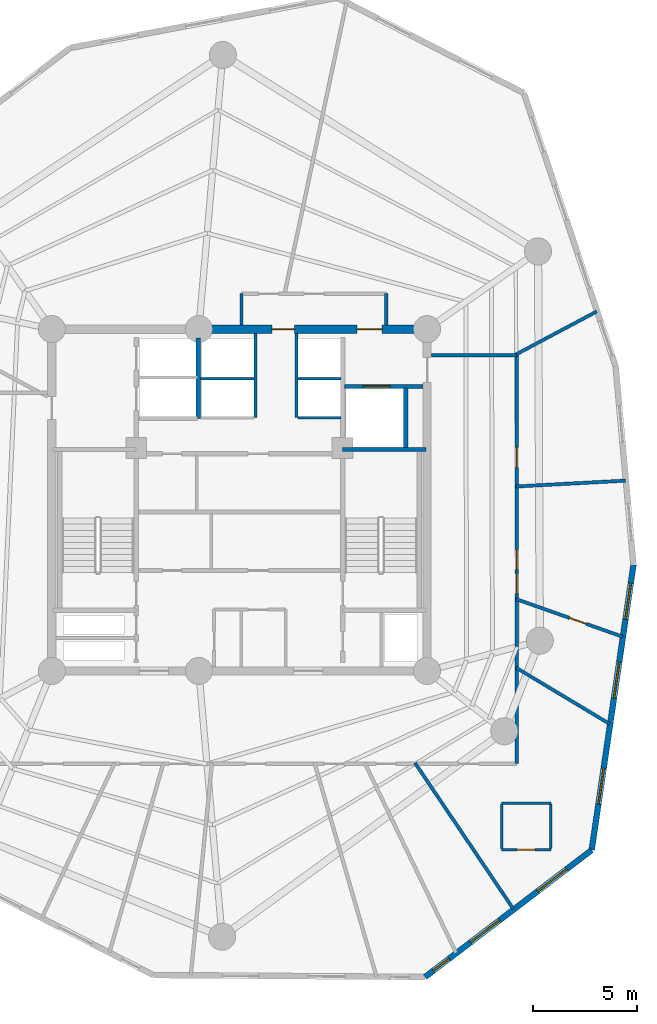
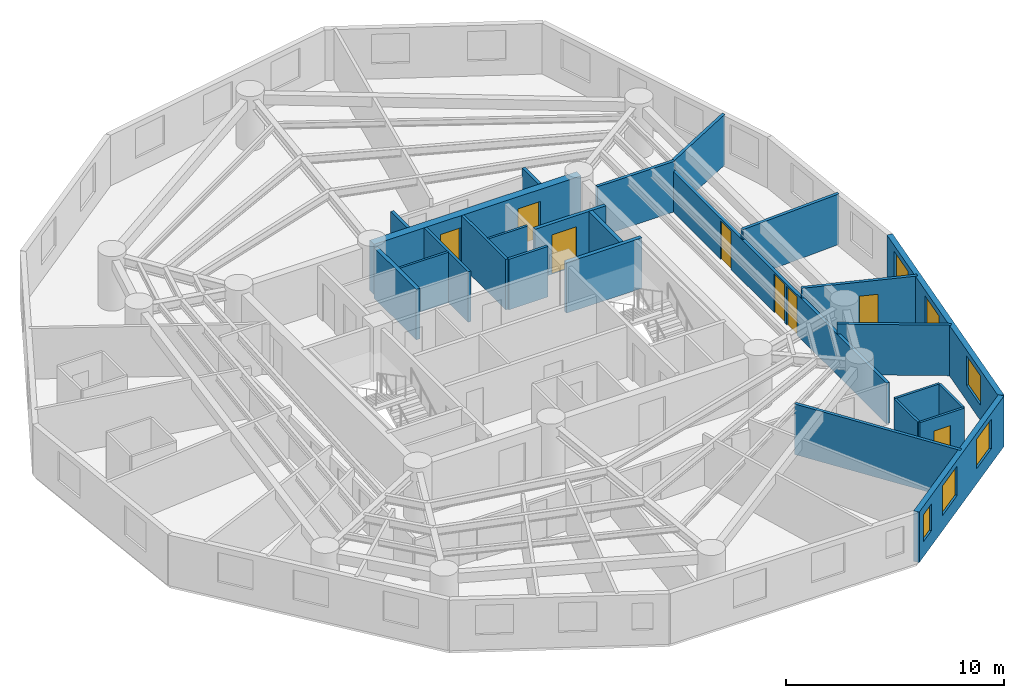
# One storey, part 5 of 7: 25 walls, 8 doors, 6 windows, 14 openings.
"""IFC4 building model written with IfcOpenShell, lengths in metres."""

from ifc_helpers import new_model, si_unit, direction, frame, frame_2d, origin, origin_with_axes, place, context, subcontext, project, spatial, rectangle, extrude, source, transform, mapped, material, layer, layer_set, type_object, element, fill, save


model = new_model("IFC4")

# Units and contexts
model_context = context("Model", 3, precision=1e-05, world=origin(), true_north=direction((0.0, 1.0)))
body_context = subcontext(model_context, "Body", "Model", "MODEL_VIEW")
ifc_project = project(units=[si_unit("LENGTHUNIT", "METRE"), si_unit("AREAUNIT", "SQUARE_METRE"), si_unit("VOLUMEUNIT", "CUBIC_METRE"), si_unit("PLANEANGLEUNIT", "RADIAN"), si_unit("MASSUNIT", "GRAM", prefix="KILO")], contexts=[model_context])

# Site, building, storey
site_placement = place(None, origin())
site = spatial("IfcSite", under=ifc_project, at=site_placement, CompositionType="ELEMENT")
building_placement = place(site_placement, origin())
building = spatial("IfcBuilding", under=site, at=building_placement, Name="Karkom Vertical University and Central Library", CompositionType="ELEMENT")
storey_placement = place(building_placement, frame((0.0, 0.0, 199.25)))
storey = spatial("IfcBuildingStorey", under=building, at=storey_placement, Name="L58", CompositionType="ELEMENT", Elevation=199.25)

# Wall, openings, windows
ifc_material_1 = material(Name="Brick-faced precast concrete C45/55", Category="masonry")
ifc_layer_1 = layer(ifc_material_1, 0.280029296875)
ifc_layer_set_1 = layer_set([ifc_layer_1], Name="Brick-faced precast concrete C45/55")
wall_type_1 = type_object("IfcWallType", Name="ENV-WL-BRK-280", PredefinedType="SOLIDWALL", material=ifc_layer_set_1)
wall_1_placement = place(storey_placement, frame((37.4033203125, 3.613037109375, 0.0), z_axis=(0.0, 0.0, 1.0), x_axis=(0.795510317951, 0.605940041616, 0.0)))
wall_1 = element("IfcWall", 1, at=wall_1_placement, inside=storey, type_object=wall_type_1, Name="Level 58 Brick-Faced Precast Facade Wall 05", PredefinedType="SOLIDWALL", context=body_context, shape_type="SweptSolid", body=[
    extrude(rectangle(XDim=10.052978515625, YDim=0.280029296875, at=frame_2d((5.0263671875, 0.0))), origin(), (0.0, 0.0, 1.0), 2.824951171875),
])
opening_1_placement = place(wall_1_placement, frame((0.5048828125, 0.0, 0.85009765625)))
opening_1 = element("IfcOpeningElement", 2, at=opening_1_placement, cuts=wall_1, Name="Opening WN-12", PredefinedType="OPENING", context=body_context, shape_type="SweptSolid", body=[
    extrude(rectangle(XDim=0.949951171875, YDim=1.5, at=frame_2d((0.47509765625, 0.75))), frame((0.0, 0.14990234375, 0.0), z_axis=(0.0, -1.0, 0.0), x_axis=(1.0, 0.0, 0.0)), (0.0, 0.0, 1.0), 0.300048828125),
])
opening_2_placement = place(wall_1_placement, frame((2.7509765625, 0.0, 0.85009765625)))
opening_2 = element("IfcOpeningElement", 3, at=opening_2_placement, cuts=wall_1, Name="Opening WN-08", PredefinedType="OPENING", context=body_context, shape_type="SweptSolid", body=[
    extrude(rectangle(XDim=1.75, YDim=1.64990234375, at=frame_2d((0.875, 0.824951171875))), frame((0.0, 0.14990234375, 0.0), z_axis=(0.0, -1.0, 0.0), x_axis=(1.0, 0.0, 0.0)), (0.0, 0.0, 1.0), 0.300048828125),
])
opening_3_placement = place(wall_1_placement, frame((6.797607421875, 0.0, 0.85009765625)))
opening_3 = element("IfcOpeningElement", 4, at=opening_3_placement, cuts=wall_1, Name="Opening WN-08", PredefinedType="OPENING", context=body_context, shape_type="SweptSolid", body=[
    extrude(rectangle(XDim=1.75, YDim=1.64990234375, at=frame_2d((0.875, 0.824951171875))), frame((0.0, 0.14990234375, 0.0), z_axis=(0.0, -1.0, 0.0), x_axis=(1.0, 0.0, 0.0)), (0.0, 0.0, 1.0), 0.300048828125),
])
ifc_material_2 = material(Name="Aluminium thermal-break frame with solar-control IGU", Category="aluminium")
window_type_1 = type_object("IfcWindowType", Name="ENV-WIN-WN-12", PartitioningType="SINGLE_PANEL", PredefinedType="WINDOW", material=ifc_material_2)
shared_shape_1 = source(origin_with_axes(), body_context, "Body", "SweptSolid", [
    extrude(rectangle(XDim=0.949951171875, YDim=1.5, at=frame_2d((0.47509765625, 0.75))), frame((0.0, 0.030029296875, 0.0), z_axis=(0.0, -1.0, 0.0), x_axis=(1.0, 0.0, 0.0)), (0.0, 0.0, 1.0), 0.06005859375),
])
window_1_placement = place(opening_1_placement, origin())
window_1 = element("IfcWindow", 5, at=window_1_placement, inside=storey, type_object=window_type_1, Name="Level 58 Punched Window 5.1", OverallHeight=1.5, OverallWidth=0.949951171875, PartitioningType="SINGLE_PANEL", PredefinedType="WINDOW", context=body_context, shape_type="MappedRepresentation", body=[
    mapped(shared_shape_1, transform((0.0, 0.0, 0.0), scale=1.0)),
])
fill(opening_1, window_1)
window_type_2 = type_object("IfcWindowType", Name="ENV-WIN-WN-08", PartitioningType="SINGLE_PANEL", PredefinedType="WINDOW", material=ifc_material_2)
shared_shape_2 = source(origin_with_axes(), body_context, "Body", "SweptSolid", [
    extrude(rectangle(XDim=1.75, YDim=1.64990234375, at=frame_2d((0.875, 0.824951171875))), frame((0.0, 0.030029296875, 0.0), z_axis=(0.0, -1.0, 0.0), x_axis=(1.0, 0.0, 0.0)), (0.0, 0.0, 1.0), 0.06005859375),
])
window_2_placement = place(opening_2_placement, origin())
window_2 = element("IfcWindow", 6, at=window_2_placement, inside=storey, type_object=window_type_2, Name="Level 58 Punched Window 5.2", OverallHeight=1.64990234375, OverallWidth=1.75, PartitioningType="SINGLE_PANEL", PredefinedType="WINDOW", context=body_context, shape_type="MappedRepresentation", body=[
    mapped(shared_shape_2, transform((0.0, 0.0, 0.0), scale=1.0)),
])
fill(opening_2, window_2)
window_3_placement = place(opening_3_placement, origin())
window_3 = element("IfcWindow", 7, at=window_3_placement, inside=storey, type_object=window_type_2, Name="Level 58 Punched Window 5.3", OverallHeight=1.64990234375, OverallWidth=1.75, PartitioningType="SINGLE_PANEL", PredefinedType="WINDOW", context=body_context, shape_type="MappedRepresentation", body=[
    mapped(shared_shape_2, transform((0.0, 0.0, 0.0), scale=1.0)),
])
fill(opening_3, window_3)

wall_2_placement = place(storey_placement, frame((45.400634765625, 9.70458984375, 0.0), z_axis=(0.0, 0.0, 1.0), x_axis=(0.145019531455, 0.989428792535, 0.0)))
wall_2 = element("IfcWall", 8, at=wall_2_placement, inside=storey, type_object=wall_type_1, Name="Level 58 Brick-Faced Precast Facade Wall 06", PredefinedType="SOLIDWALL", context=body_context, shape_type="SweptSolid", body=[
    extrude(rectangle(XDim=13.836669921875, YDim=0.280029296875, at=frame_2d((6.91845703125, 0.0))), origin(), (0.0, 0.0, 1.0), 2.824951171875),
])
opening_4_placement = place(wall_2_placement, frame((2.219970703125, 0.0, 0.85009765625)))
opening_4 = element("IfcOpeningElement", 9, at=opening_4_placement, cuts=wall_2, Name="Opening WN-08", PredefinedType="OPENING", context=body_context, shape_type="SweptSolid", body=[
    extrude(rectangle(XDim=1.75, YDim=1.64990234375, at=frame_2d((0.875, 0.824951171875))), frame((0.0, 0.14990234375, 0.0), z_axis=(0.0, -1.0, 0.0), x_axis=(1.0, 0.0, 0.0)), (0.0, 0.0, 1.0), 0.300048828125),
])
opening_5_placement = place(wall_2_placement, frame((7.366455078125, 0.0, 0.85009765625)))
opening_5 = element("IfcOpeningElement", 10, at=opening_5_placement, cuts=wall_2, Name="Opening WN-08", PredefinedType="OPENING", context=body_context, shape_type="SweptSolid", body=[
    extrude(rectangle(XDim=1.75, YDim=1.64990234375, at=frame_2d((0.875, 0.824951171875))), frame((0.0, 0.14990234375, 0.0), z_axis=(0.0, -1.0, 0.0), x_axis=(1.0, 0.0, 0.0)), (0.0, 0.0, 1.0), 0.300048828125),
])
opening_6_placement = place(wall_2_placement, frame((11.18994140625, 0.0, 0.85009765625)))
opening_6 = element("IfcOpeningElement", 11, at=opening_6_placement, cuts=wall_2, Name="Opening WN-08", PredefinedType="OPENING", context=body_context, shape_type="SweptSolid", body=[
    extrude(rectangle(XDim=1.75, YDim=1.64990234375, at=frame_2d((0.875, 0.824951171875))), frame((0.0, 0.14990234375, 0.0), z_axis=(0.0, -1.0, 0.0), x_axis=(1.0, 0.0, 0.0)), (0.0, 0.0, 1.0), 0.300048828125),
])
window_4_placement = place(opening_4_placement, origin())
window_4 = element("IfcWindow", 12, at=window_4_placement, inside=storey, type_object=window_type_2, Name="Level 58 Punched Window 6.1", OverallHeight=1.64990234375, OverallWidth=1.75, PartitioningType="SINGLE_PANEL", PredefinedType="WINDOW", context=body_context, shape_type="MappedRepresentation", body=[
    mapped(shared_shape_2, transform((0.0, 0.0, 0.0), scale=1.0)),
])
fill(opening_4, window_4)
window_5_placement = place(opening_5_placement, origin())
window_5 = element("IfcWindow", 13, at=window_5_placement, inside=storey, type_object=window_type_2, Name="Level 58 Punched Window 6.2", OverallHeight=1.64990234375, OverallWidth=1.75, PartitioningType="SINGLE_PANEL", PredefinedType="WINDOW", context=body_context, shape_type="MappedRepresentation", body=[
    mapped(shared_shape_2, transform((0.0, 0.0, 0.0), scale=1.0)),
])
fill(opening_5, window_5)
window_6_placement = place(opening_6_placement, origin())
window_6 = element("IfcWindow", 14, at=window_6_placement, inside=storey, type_object=window_type_2, Name="Level 58 Punched Window 6.3", OverallHeight=1.64990234375, OverallWidth=1.75, PartitioningType="SINGLE_PANEL", PredefinedType="WINDOW", context=body_context, shape_type="MappedRepresentation", body=[
    mapped(shared_shape_2, transform((0.0, 0.0, 0.0), scale=1.0)),
])
fill(opening_6, window_6)

# Wall, openings, doors
ifc_material_3 = material(Name="Insulated metal-stud drywall 160mm", Category="gypsum")
ifc_layer_2 = layer(ifc_material_3, 0.159912109375)
ifc_layer_set_2 = layer_set([ifc_layer_2], Name="Insulated metal-stud drywall 160mm")
wall_type_2 = type_object("IfcWallType", Name="INT-WL-COR-160", PredefinedType="PARTITIONING", material=ifc_layer_set_2)
wall_3_placement = place(storey_placement, frame((41.800048828125, 33.449951171875, 0.0), z_axis=(0.0, 0.0, 1.0), x_axis=(0.0, -1.0, 0.0)))
wall_3 = element("IfcWall", 15, at=wall_3_placement, inside=storey, type_object=wall_type_2, Name="Level 58 Interior Partition Wall L58-CORW-CW-005", PredefinedType="PARTITIONING", context=body_context, shape_type="SweptSolid", body=[
    extrude(rectangle(XDim=19.599853515625, YDim=0.159912109375, at=frame_2d((9.7998046875, 0.0))), origin(), (0.0, 0.0, 1.0), 2.27490234375),
])
opening_7_placement = place(wall_3_placement, frame((10.47509765625, 0.0, 0.0)))
opening_7 = element("IfcOpeningElement", 16, at=opening_7_placement, cuts=wall_3, Name="Opening FD-RM2", PredefinedType="OPENING", context=body_context, shape_type="SweptSolid", body=[
    extrude(rectangle(XDim=0.9599609375, YDim=2.14990234375, at=frame_2d((0.47998046875, 1.074951171875))), frame((0.0, 0.08984375, 0.0), z_axis=(0.0, -1.0, 0.0), x_axis=(1.0, 0.0, 0.0)), (0.0, 0.0, 1.0), 0.179931640625),
])
opening_8_placement = place(wall_3_placement, frame((9.324951171875, 0.0, 0.0)))
opening_8 = element("IfcOpeningElement", 17, at=opening_8_placement, cuts=wall_3, Name="Opening FD-RM2", PredefinedType="OPENING", context=body_context, shape_type="SweptSolid", body=[
    extrude(rectangle(XDim=0.9599609375, YDim=2.14990234375, at=frame_2d((0.47998046875, 1.074951171875))), frame((0.0, 0.08984375, 0.0), z_axis=(0.0, -1.0, 0.0), x_axis=(1.0, 0.0, 0.0)), (0.0, 0.0, 1.0), 0.179931640625),
])
opening_9_placement = place(wall_3_placement, frame((4.425048828125, 0.0, 0.0)))
opening_9 = element("IfcOpeningElement", 18, at=opening_9_placement, cuts=wall_3, Name="Opening FD-RM2", PredefinedType="OPENING", context=body_context, shape_type="SweptSolid", body=[
    extrude(rectangle(XDim=0.9599609375, YDim=2.14990234375, at=frame_2d((0.47998046875, 1.074951171875))), frame((0.0, 0.08984375, 0.0), z_axis=(0.0, -1.0, 0.0), x_axis=(1.0, 0.0, 0.0)), (0.0, 0.0, 1.0), 0.179931640625),
])
ifc_material_4 = material(Name="Fire-rated oak veneer door", Category="wood")
door_type_1 = type_object("IfcDoorType", Name="INT-DR-FRM2", OperationType="NOTDEFINED", PredefinedType="DOOR", material=ifc_material_4)
shared_shape_3 = source(origin_with_axes(), body_context, "Body", "SweptSolid", [
    extrude(rectangle(XDim=0.9599609375, YDim=2.14990234375, at=frame_2d((0.47998046875, 1.074951171875))), frame((0.0, 0.02490234375, 0.0), z_axis=(0.0, -1.0, 0.0), x_axis=(1.0, 0.0, 0.0)), (0.0, 0.0, 1.0), 0.050048828125),
])
door_1_placement = place(opening_7_placement, origin())
door_1 = element("IfcDoor", 19, at=door_1_placement, inside=storey, type_object=door_type_1, Name="Level 58 Room Entry Door 101", OperationType="SINGLE_SWING_LEFT", OverallHeight=2.14990234375, OverallWidth=0.9599609375, PredefinedType="DOOR", context=body_context, shape_type="MappedRepresentation", body=[
    mapped(shared_shape_3, transform((0.0, 0.0, 0.0), scale=1.0)),
])
fill(opening_7, door_1)
door_2_placement = place(opening_8_placement, origin())
door_2 = element("IfcDoor", 20, at=door_2_placement, inside=storey, type_object=door_type_1, Name="Level 58 Room Entry Door 111", OperationType="SINGLE_SWING_RIGHT", OverallHeight=2.14990234375, OverallWidth=0.9599609375, PredefinedType="DOOR", context=body_context, shape_type="MappedRepresentation", body=[
    mapped(shared_shape_3, transform((0.0, 0.0, 0.0), scale=1.0)),
])
fill(opening_8, door_2)
door_3_placement = place(opening_9_placement, origin())
door_3 = element("IfcDoor", 21, at=door_3_placement, inside=storey, type_object=door_type_1, Name="Level 58 Room Entry Door 121", OperationType="SINGLE_SWING_LEFT", OverallHeight=2.14990234375, OverallWidth=0.9599609375, PredefinedType="DOOR", context=body_context, shape_type="MappedRepresentation", body=[
    mapped(shared_shape_3, transform((0.0, 0.0, 0.0), scale=1.0)),
])
fill(opening_9, door_3)

# Wall
wall_4_placement = place(storey_placement, frame((36.921630859375, 13.88720703125, 0.0), z_axis=(0.0, 0.0, 1.0), x_axis=(0.558599163164, -0.829437746255, 0.0)))
element("IfcWall", 22, at=wall_4_placement, inside=storey, type_object=wall_type_2, Name="Level 58 Interior Partition Wall L58-PW-010", PredefinedType="PARTITIONING", context=body_context, shape_type="SweptSolid", body=[
    extrude(rectangle(XDim=8.454345703125, YDim=0.159912109375, at=frame_2d((4.22705078125, 0.0))), origin(), (0.0, 0.0, 1.0), 2.824951171875),
])

# Wall, opening, door
wall_5_placement = place(storey_placement, frame((41.771728515625, 21.748046875, 0.0), z_axis=(0.0, 0.0, 1.0), x_axis=(0.942903697414, -0.333065485156, 0.0)))
wall_5 = element("IfcWall", 23, at=wall_5_placement, inside=storey, type_object=wall_type_2, Name="Level 58 Interior Partition Wall L58-PW-012", PredefinedType="PARTITIONING", context=body_context, shape_type="SweptSolid", body=[
    extrude(rectangle(XDim=5.41259765625, YDim=0.159912109375, at=frame_2d((2.706298828125, 0.0))), origin(), (0.0, 0.0, 1.0), 2.824951171875),
])
opening_10_placement = place(wall_5_placement, frame((2.71630859375, 0.0, 0.0)))
opening_10 = element("IfcOpeningElement", 24, at=opening_10_placement, cuts=wall_5, Name="Opening FD-BTH2", PredefinedType="OPENING", context=body_context, shape_type="SweptSolid", body=[
    extrude(rectangle(XDim=0.860107421875, YDim=2.0400390625, at=frame_2d((0.43017578125, 1.02001953125))), frame((0.0, 0.08984375, 0.0), z_axis=(0.0, -1.0, 0.0), x_axis=(1.0, 0.0, 0.0)), (0.0, 0.0, 1.0), 0.179931640625),
])
ifc_material_5 = material(Name="Fire-rated moisture-resistant oak door", Category="wood")
door_type_2 = type_object("IfcDoorType", Name="INT-DR-FBTH2", OperationType="NOTDEFINED", PredefinedType="DOOR", material=ifc_material_5)
shared_shape_4 = source(origin_with_axes(), body_context, "Body", "SweptSolid", [
    extrude(rectangle(XDim=0.860107421875, YDim=2.0400390625, at=frame_2d((0.43017578125, 1.02001953125))), frame((0.0, 0.02490234375, 0.0), z_axis=(0.0, -1.0, 0.0), x_axis=(1.0, 0.0, 0.0)), (0.0, 0.0, 1.0), 0.050048828125),
])
door_4_placement = place(opening_10_placement, origin())
door_4 = element("IfcDoor", 25, at=door_4_placement, inside=storey, type_object=door_type_2, Name="Level 58 Scholar Consultation Office Entry Door", OperationType="SINGLE_SWING_RIGHT", OverallHeight=2.0400390625, OverallWidth=0.860107421875, PredefinedType="DOOR", context=body_context, shape_type="MappedRepresentation", body=[
    mapped(shared_shape_4, transform((0.0, 0.0, 0.0), scale=1.0)),
])
fill(opening_10, door_4)

# Walls
wall_6_placement = place(storey_placement, frame((41.77001953125, 27.14990234375, 0.0), z_axis=(0.0, 0.0, 1.0), x_axis=(0.998570877024, 0.053443461334, 0.0)))
element("IfcWall", 26, at=wall_6_placement, inside=storey, type_object=wall_type_2, Name="Level 58 Interior Partition Wall L58-PW-013", PredefinedType="PARTITIONING", context=body_context, shape_type="SweptSolid", body=[
    extrude(rectangle(XDim=5.258056640625, YDim=0.159912109375, at=frame_2d((2.62890625, 0.0))), origin(), (0.0, 0.0, 1.0), 2.824951171875),
])
wall_7_placement = place(storey_placement, frame((41.7744140625, 18.45458984375, 0.0), z_axis=(0.0, 0.0, 1.0), x_axis=(0.857183893401, -0.515010459014, 0.0)))
element("IfcWall", 27, at=wall_7_placement, inside=storey, type_object=wall_type_2, Name="Level 58 Interior Partition Wall L58-PW-011", PredefinedType="PARTITIONING", context=body_context, shape_type="SweptSolid", body=[
    extrude(rectangle(XDim=5.230712890625, YDim=0.159912109375, at=frame_2d((2.615234375, 0.0))), origin(), (0.0, 0.0, 1.0), 2.824951171875),
])
wall_8_placement = place(storey_placement, frame((41.67236328125, 33.435791015625, 0.0), z_axis=(0.0, 0.0, 1.0), x_axis=(0.882929374505, 0.469505824923, 0.0)))
element("IfcWall", 28, at=wall_8_placement, inside=storey, type_object=wall_type_2, Name="Level 58 Interior Partition Wall L58-PW-014", PredefinedType="PARTITIONING", context=body_context, shape_type="SweptSolid", body=[
    extrude(rectangle(XDim=4.496826171875, YDim=0.159912109375, at=frame_2d((2.24853515625, 0.0))), origin(), (0.0, 0.0, 1.0), 2.824951171875),
])
wall_9_placement = place(storey_placement, frame((37.70703125, 33.449951171875, 0.0), z_axis=(0.0, 0.0, 1.0), x_axis=(1.0, 0.0, 0.0)))
element("IfcWall", 29, at=wall_9_placement, inside=storey, type_object=wall_type_2, Name="Level 58 Interior Partition Wall L58-CORW-CW-004", PredefinedType="PARTITIONING", context=body_context, shape_type="SweptSolid", body=[
    extrude(rectangle(XDim=4.093017578125, YDim=0.159912109375, at=frame_2d((2.04638671875, 0.0))), origin(), (0.0, 0.0, 1.0), 2.824951171875),
])
for number, where, z_axis, x_axis, name in (
    (30, (28.60009765625, 34.906982421875, 0.0), (0.0, 0.0, 1.0), (0.0, 1.0, 0.0), "Level 58 Interior Partition Wall L58-CORW-CW-006"),
    (31, (35.550048828125, 36.39990234375, 0.0), (0.0, 0.0, 1.0), (0.0, -1.0, 0.0), "Level 58 Interior Partition Wall L58-CORW-CW-008"),
):
    element("IfcWall", number, at=place(storey_placement, frame(where, z_axis=z_axis, x_axis=x_axis)), inside=storey, type_object=wall_type_2, Name=name, PredefinedType="PARTITIONING", context=body_context, shape_type="SweptSolid", body=[
        extrude(rectangle(XDim=1.492919921875, YDim=0.159912109375, at=frame_2d((0.74658203125, 0.0))), origin(), (0.0, 0.0, 1.0), 2.824951171875),
    ])

# Wall, opening, door
ifc_material_6 = material(Name="Moisture-resistant drywall 120mm", Category="gypsum")
ifc_layer_3 = layer(ifc_material_6, 0.1201171875)
ifc_layer_set_3 = layer_set([ifc_layer_3], Name="Moisture-resistant drywall 120mm")
wall_type_3 = type_object("IfcWallType", Name="INT-WL-INT-120F", PredefinedType="PARTITIONING", material=ifc_layer_set_3)
wall_10_placement = place(storey_placement, frame((41.076904296875, 9.722900390625, 0.0), z_axis=(0.0, 0.0, 1.0), x_axis=(1.0, 0.0, 0.0)))
wall_10 = element("IfcWall", 32, at=wall_10_placement, inside=storey, type_object=wall_type_3, Name="Level 58 Interior Partition Wall L58-ENS-09-S", PredefinedType="PARTITIONING", context=body_context, shape_type="SweptSolid", body=[
    extrude(rectangle(XDim=2.360107421875, YDim=0.1201171875, at=frame_2d((1.18017578125, 0.0))), origin(), (0.0, 0.0, 1.0), 2.824951171875),
])
opening_11_placement = place(wall_10_placement, frame((0.75, 0.0, 0.0)))
opening_11 = element("IfcOpeningElement", 33, at=opening_11_placement, cuts=wall_10, Name="Opening D-BATH", PredefinedType="OPENING", context=body_context, shape_type="SweptSolid", body=[
    extrude(rectangle(XDim=0.860107421875, YDim=2.10009765625, at=frame_2d((0.43017578125, 1.050048828125))), frame((0.0, 0.070068359375, 0.0), z_axis=(0.0, -1.0, 0.0), x_axis=(1.0, 0.0, 0.0)), (0.0, 0.0, 1.0), 0.14013671875),
])
ifc_material_7 = material(Name="Moisture-resistant oak door", Category="wood")
door_type_3 = type_object("IfcDoorType", Name="INT-DR-BATH", OperationType="NOTDEFINED", PredefinedType="DOOR", material=ifc_material_7)
shared_shape_5 = source(origin_with_axes(), body_context, "Body", "SweptSolid", [
    extrude(rectangle(XDim=0.860107421875, YDim=2.10009765625, at=frame_2d((0.43017578125, 1.050048828125))), frame((0.0, 0.02490234375, 0.0), z_axis=(0.0, -1.0, 0.0), x_axis=(1.0, 0.0, 0.0)), (0.0, 0.0, 1.0), 0.050048828125),
])
door_5_placement = place(opening_11_placement, origin())
door_5 = element("IfcDoor", 34, at=door_5_placement, inside=storey, type_object=door_type_3, Name="Level 58 En-Suite Bathroom Door 09", OperationType="SINGLE_SWING_LEFT", OverallHeight=2.10009765625, OverallWidth=0.860107421875, PredefinedType="DOOR", context=body_context, shape_type="MappedRepresentation", body=[
    mapped(shared_shape_5, transform((0.0, 0.0, 0.0), scale=1.0)),
])
fill(opening_11, door_5)

# Walls
wall_11_placement = place(storey_placement, frame((43.43701171875, 11.962890625, 0.0), z_axis=(0.0, 0.0, 1.0), x_axis=(-1.0, 0.0, 0.0)))
element("IfcWall", 35, at=wall_11_placement, inside=storey, type_object=wall_type_3, Name="Level 58 Interior Partition Wall L58-ENS-09-N", PredefinedType="PARTITIONING", context=body_context, shape_type="SweptSolid", body=[
    extrude(rectangle(XDim=2.360107421875, YDim=0.1201171875, at=frame_2d((1.18017578125, 0.0))), origin(), (0.0, 0.0, 1.0), 2.824951171875),
])
for number, where, z_axis, x_axis, name in (
    (36, (43.43701171875, 9.77294921875, 0.0), (0.0, 0.0, 1.0), (0.0, 1.0, 0.0), "Level 58 Interior Partition Wall L58-ENS-09-E"),
    (37, (41.076904296875, 11.9130859375, 0.0), (0.0, 0.0, 1.0), (0.0, -1.0, 0.0), "Level 58 Interior Partition Wall L58-ENS-09-W"),
):
    element("IfcWall", number, at=place(storey_placement, frame(where, z_axis=z_axis, x_axis=x_axis)), inside=storey, type_object=wall_type_3, Name=name, PredefinedType="PARTITIONING", context=body_context, shape_type="SweptSolid", body=[
        extrude(rectangle(XDim=2.14013671875, YDim=0.1201171875, at=frame_2d((1.070068359375, 0.0))), origin(), (0.0, 0.0, 1.0), 2.824951171875),
    ])
ifc_layer_4 = layer(ifc_material_6, 0.1201171875)
ifc_layer_set_4 = layer_set([ifc_layer_4], Name="Moisture-resistant drywall 120mm")
wall_type_4 = type_object("IfcWallType", Name="INT-WL-INT-120H", PredefinedType="PARTITIONING", material=ifc_layer_set_4)
wall_12_placement = place(storey_placement, frame((26.6201171875, 32.320068359375, 0.0), z_axis=(0.0, 0.0, 1.0), x_axis=(1.0, 0.0, 0.0)))
element("IfcWall", 38, at=wall_12_placement, inside=storey, type_object=wall_type_4, Name="Level 58 Interior Partition Wall L58-CW-PH-MW", PredefinedType="PARTITIONING", context=body_context, shape_type="SweptSolid", body=[
    extrude(rectangle(XDim=2.579833984375, YDim=0.1201171875, at=frame_2d((1.2900390625, 0.0))), origin(), (0.0, 0.0, 1.0), 2.824951171875),
])
wall_13_placement = place(storey_placement, frame((31.300048828125, 32.320068359375, 0.0), z_axis=(0.0, 0.0, 1.0), x_axis=(1.0, 0.0, 0.0)))
element("IfcWall", 39, at=wall_13_placement, inside=storey, type_object=wall_type_4, Name="Level 58 Interior Partition Wall L58-CW-PH-ME", PredefinedType="PARTITIONING", context=body_context, shape_type="SweptSolid", body=[
    extrude(rectangle(XDim=2.074951171875, YDim=0.1201171875, at=frame_2d((1.03759765625, 0.0))), origin(), (0.0, 0.0, 1.0), 2.824951171875),
])
ifc_material_8 = material(Name="Metal-stud gypsum partition 140mm", Category="gypsum")
ifc_layer_5 = layer(ifc_material_8, 0.139892578125)
ifc_layer_set_5 = layer_set([ifc_layer_5], Name="Metal-stud gypsum partition 140mm")
wall_type_5 = type_object("IfcWallType", Name="INT-WL-SUB-140H", PredefinedType="PARTITIONING", material=ifc_layer_set_5)
for number, where, z_axis, x_axis, name in (
    (40, (29.260009765625, 30.449951171875, 0.0), (0.0, 0.0, 1.0), (0.0, 1.0, 0.0), "Level 58 Interior Partition Wall L58-CW-PH-W"),
    (41, (31.239990234375, 30.449951171875, 0.0), (0.0, 0.0, 1.0), (0.0, 1.0, 0.0), "Level 58 Interior Partition Wall L58-CW-PH-E"),
):
    element("IfcWall", number, at=place(storey_placement, frame(where, z_axis=z_axis, x_axis=x_axis)), inside=storey, type_object=wall_type_5, Name=name, PredefinedType="PARTITIONING", context=body_context, shape_type="SweptSolid", body=[
        extrude(rectangle(XDim=4.04296875, YDim=0.139892578125, at=frame_2d((2.021484375, 0.0))), origin(), (0.0, 0.0, 1.0), 2.824951171875),
    ])
wall_14_placement = place(storey_placement, frame((31.300048828125, 30.449951171875, 0.0), z_axis=(0.0, 0.0, 1.0), x_axis=(1.0, 0.0, 0.0)))
element("IfcWall", 42, at=wall_14_placement, inside=storey, type_object=wall_type_5, Name="Level 58 Interior Partition Wall L58-CW-PH-S2", PredefinedType="PARTITIONING", context=body_context, shape_type="SweptSolid", body=[
    extrude(rectangle(XDim=2.074951171875, YDim=0.139892578125, at=frame_2d((1.03759765625, 0.0))), origin(), (0.0, 0.0, 1.0), 2.824951171875),
])

# Wall, opening, door
ifc_material_9 = material(Name="Twin-stud acoustic drywall 180mm", Category="gypsum")
ifc_layer_6 = layer(ifc_material_9, 0.179931640625)
ifc_layer_set_6 = layer_set([ifc_layer_6], Name="Twin-stud acoustic drywall 180mm")
wall_type_6 = type_object("IfcWallType", Name="INT-WL-TEN-180F", PredefinedType="PARTITIONING", material=ifc_layer_set_6)
wall_15_placement = place(storey_placement, frame((33.534912109375, 31.949951171875, 0.0), z_axis=(0.0, 0.0, 1.0), x_axis=(1.0, 0.0, 0.0)))
wall_15 = element("IfcWall", 43, at=wall_15_placement, inside=storey, type_object=wall_type_6, Name="Level 58 Interior Partition Wall L58-CW-SVL-N", PredefinedType="PARTITIONING", context=body_context, shape_type="SweptSolid", body=[
    extrude(rectangle(XDim=3.7587890625, YDim=0.179931640625, at=frame_2d((1.87939453125, 0.0))), origin(), (0.0, 0.0, 1.0), 2.824951171875),
])
opening_12_placement = place(wall_15_placement, frame((0.89990234375, 0.0, 0.0)))
opening_12 = element("IfcOpeningElement", 44, at=opening_12_placement, cuts=wall_15, Name="Opening LD-SV1", PredefinedType="OPENING", context=body_context, shape_type="SweptSolid", body=[
    extrude(rectangle(XDim=1.300048828125, YDim=2.199951171875, at=frame_2d((0.64990234375, 1.10009765625))), frame((0.0, 0.10009765625, 0.0), z_axis=(0.0, -1.0, 0.0), x_axis=(1.0, 0.0, 0.0)), (0.0, 0.0, 1.0), 0.199951171875),
])
ifc_material_10 = material(Name="Brushed stainless-steel landing door", Category="steel")
door_type_4 = type_object("IfcDoorType", Name="INT-DR-LD-SV1", OperationType="SLIDING_TO_LEFT", PredefinedType="DOOR", material=ifc_material_10)
shared_shape_6 = source(origin_with_axes(), body_context, "Body", "SweptSolid", [
    extrude(rectangle(XDim=1.300048828125, YDim=2.199951171875, at=frame_2d((0.64990234375, 1.10009765625))), frame((0.0, 0.02490234375, 0.0), z_axis=(0.0, -1.0, 0.0), x_axis=(1.0, 0.0, 0.0)), (0.0, 0.0, 1.0), 0.050048828125),
])
door_6_placement = place(opening_12_placement, origin())
door_6 = element("IfcDoor", 45, at=door_6_placement, inside=storey, type_object=door_type_4, Name="Level 58 Service Lift Landing Door LD-SV1", OperationType="SLIDING_TO_LEFT", OverallHeight=2.199951171875, OverallWidth=1.300048828125, PredefinedType="DOOR", context=body_context, shape_type="MappedRepresentation", body=[
    mapped(shared_shape_6, transform((0.0, 0.0, 0.0), scale=1.0)),
])
fill(opening_12, door_6)

# Wall, openings, doors
ifc_material_11 = material(Name="Concrete C50/60", Category="concrete")
ifc_layer_7 = layer(ifc_material_11, 0.39990234375)
ifc_layer_set_7 = layer_set([ifc_layer_7], Name="Concrete C50/60")
wall_type_7 = type_object("IfcWallType", Name="STR-WL-CW-400", PredefinedType="SHEAR", material=ifc_layer_set_7)
wall_16_placement = place(storey_placement, frame((37.5, 34.699951171875, 0.0), z_axis=(0.0, 0.0, 1.0), x_axis=(-1.0, 0.0, 0.0)))
wall_16 = element("IfcWall", 46, at=wall_16_placement, inside=storey, type_object=wall_type_7, Name="Level 58 Central Core Shear Wall NW1", PredefinedType="SHEAR", context=body_context, shape_type="SweptSolid", body=[
    extrude(rectangle(XDim=10.949951171875, YDim=0.39990234375, at=frame_2d((5.47509765625, 0.0))), origin(), (0.0, 0.0, 1.0), 2.824951171875),
])
opening_13_placement = place(wall_16_placement, frame((2.14990234375, 0.0, 0.0)))
opening_13 = element("IfcOpeningElement", 47, at=opening_13_placement, cuts=wall_16, Name="Opening FD-SUB1", PredefinedType="OPENING", context=body_context, shape_type="SweptSolid", body=[
    extrude(rectangle(XDim=1.199951171875, YDim=2.14990234375, at=frame_2d((0.60009765625, 1.074951171875))), frame((0.0, 0.2099609375, 0.0), z_axis=(0.0, -1.0, 0.0), x_axis=(1.0, 0.0, 0.0)), (0.0, 0.0, 1.0), 0.419921875),
])
opening_14_placement = place(wall_16_placement, frame((6.35009765625, 0.0, 0.0)))
opening_14 = element("IfcOpeningElement", 48, at=opening_14_placement, cuts=wall_16, Name="Opening FD-FFL", PredefinedType="OPENING", context=body_context, shape_type="SweptSolid", body=[
    extrude(rectangle(XDim=1.10009765625, YDim=2.14990234375, at=frame_2d((0.550048828125, 1.074951171875))), frame((0.0, 0.2099609375, 0.0), z_axis=(0.0, -1.0, 0.0), x_axis=(1.0, 0.0, 0.0)), (0.0, 0.0, 1.0), 0.419921875),
])
ifc_material_12 = material(Name="Painted steel smoke-seal fire door", Category="steel")
door_type_5 = type_object("IfcDoorType", Name="INT-DR-FFL", OperationType="NOTDEFINED", PredefinedType="DOOR", material=ifc_material_12)
shared_shape_7 = source(origin_with_axes(), body_context, "Body", "SweptSolid", [
    extrude(rectangle(XDim=1.10009765625, YDim=2.14990234375, at=frame_2d((0.550048828125, 1.074951171875))), frame((0.0, 0.02490234375, 0.0), z_axis=(0.0, -1.0, 0.0), x_axis=(1.0, 0.0, 0.0)), (0.0, 0.0, 1.0), 0.050048828125),
])
door_7_placement = place(opening_14_placement, origin())
door_7 = element("IfcDoor", 49, at=door_7_placement, inside=storey, type_object=door_type_5, Name="Level 58 North Core Lobby Exit Door", OperationType="SINGLE_SWING_RIGHT", OverallHeight=2.14990234375, OverallWidth=1.10009765625, PredefinedType="DOOR", context=body_context, shape_type="MappedRepresentation", body=[
    mapped(shared_shape_7, transform((0.0, 0.0, 0.0), scale=1.0)),
])
fill(opening_14, door_7)
ifc_material_13 = material(Name="Painted steel fire door", Category="steel")
door_type_6 = type_object("IfcDoorType", Name="INT-DR-SUB1", OperationType="NOTDEFINED", PredefinedType="DOOR", material=ifc_material_13)
shared_shape_8 = source(origin_with_axes(), body_context, "Body", "SweptSolid", [
    extrude(rectangle(XDim=1.199951171875, YDim=2.14990234375, at=frame_2d((0.60009765625, 1.074951171875))), frame((0.0, 0.02490234375, 0.0), z_axis=(0.0, -1.0, 0.0), x_axis=(1.0, 0.0, 0.0)), (0.0, 0.0, 1.0), 0.050048828125),
])
door_8_placement = place(opening_13_placement, origin())
door_8 = element("IfcDoor", 50, at=door_8_placement, inside=storey, type_object=door_type_6, Name="Level 58 Service Lobby Fire Door", OperationType="SINGLE_SWING_RIGHT", OverallHeight=2.14990234375, OverallWidth=1.199951171875, PredefinedType="DOOR", context=body_context, shape_type="MappedRepresentation", body=[
    mapped(shared_shape_8, transform((0.0, 0.0, 0.0), scale=1.0)),
])
fill(opening_13, door_8)

# Walls
ifc_material_14 = material(Name="Concrete C45/55", Category="concrete")
ifc_layer_8 = layer(ifc_material_14, 0.199951171875)
ifc_layer_set_8 = layer_set([ifc_layer_8], Name="Concrete C45/55")
wall_type_8 = type_object("IfcWallType", Name="STR-WL-ST-200", PredefinedType="SHEAR", material=ifc_layer_set_8)
wall_17_placement = place(storey_placement, frame((33.455078125, 28.925048828125, 0.0), z_axis=(0.0, 0.0, 1.0), x_axis=(1.0, 0.0, 0.0)))
element("IfcWall", 51, at=wall_17_placement, inside=storey, type_object=wall_type_8, Name="Level 58 Core Shaft Wall L58-CW-ST2-N", PredefinedType="SHEAR", context=body_context, shape_type="SweptSolid", body=[
    extrude(rectangle(XDim=3.994873046875, YDim=0.199951171875, at=frame_2d((1.99755859375, 0.0))), origin(), (0.0, 0.0, 1.0), 2.824951171875),
])
wall_18_placement = place(storey_placement, frame((26.52001953125, 30.419921875, 0.0), z_axis=(0.0, 0.0, 1.0), x_axis=(0.0, 1.0, 0.0)))
element("IfcWall", 52, at=wall_18_placement, inside=storey, type_object=wall_type_8, Name="Level 58 Core Shaft Wall L58-CW-FFL-E", PredefinedType="SHEAR", context=body_context, shape_type="SweptSolid", body=[
    extrude(rectangle(XDim=3.860107421875, YDim=0.199951171875, at=frame_2d((1.93017578125, 0.0))), origin(), (0.0, 0.0, 1.0), 2.824951171875),
])
wall_19_placement = place(storey_placement, frame((36.47998046875, 29.02001953125, 0.0), z_axis=(0.0, 0.0, 1.0), x_axis=(0.0, 1.0, 0.0)))
element("IfcWall", 53, at=wall_19_placement, inside=storey, type_object=wall_type_8, Name="Level 58 Core Shaft Wall L58-CW-SVL-E", PredefinedType="SHEAR", context=body_context, shape_type="SweptSolid", body=[
    extrude(rectangle(XDim=2.85986328125, YDim=0.199951171875, at=frame_2d((1.429931640625, 0.0))), origin(), (0.0, 0.0, 1.0), 2.824951171875),
])

save(model, "model.ifc")
